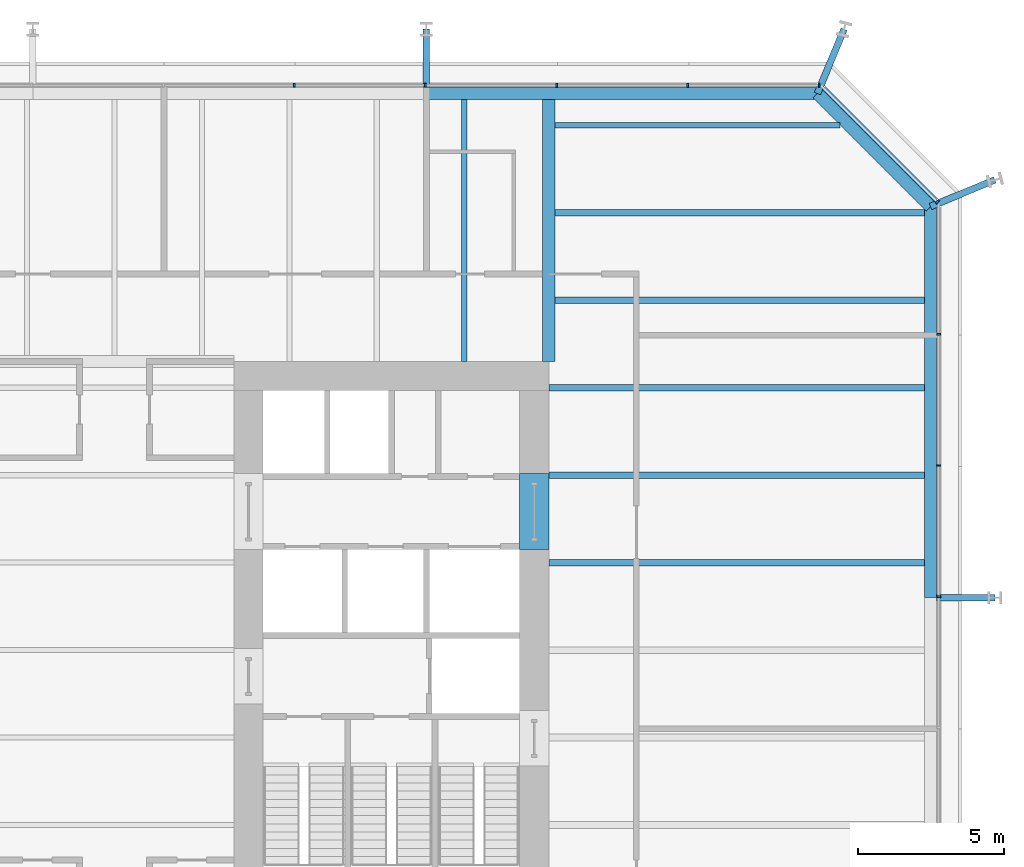
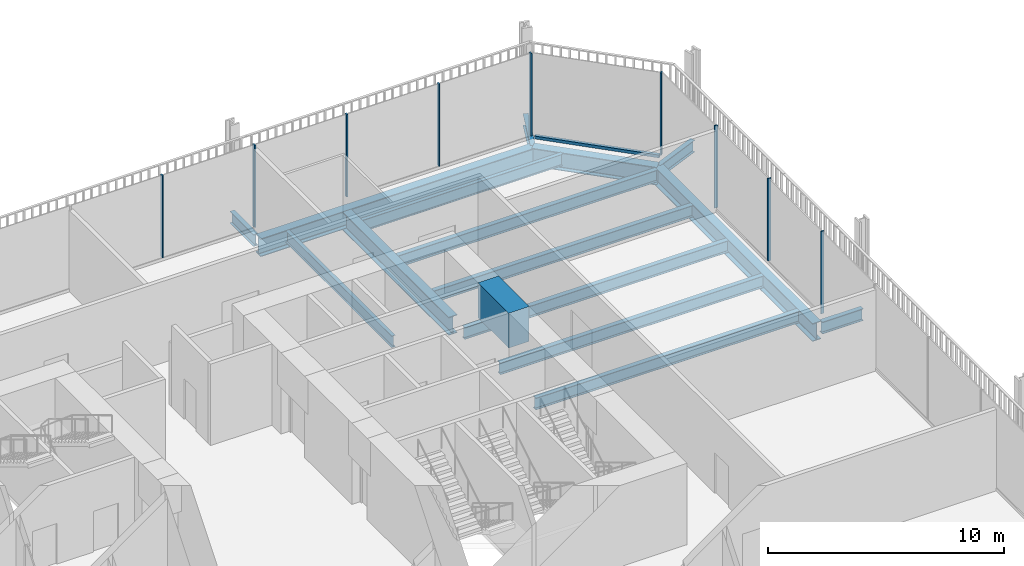
# One storey, part 14 of 20: 16 beams, 10 members, 3 elements without a shape of their own.
"""IFC4 building model written with IfcOpenShell, lengths in metres."""

from ifc_helpers import new_model, si_unit, direction, frame, origin, origin_2d, place, context, subcontext, project, spatial, rectangle, i_section, extrude, material, layer, layer_set, material_profile, profile_set, type_object, element, aggregate, save


model = new_model("IFC4")

# Units and contexts
model_context = context("Model", 3, precision=1e-05, world=origin(), true_north=direction((0.0, 1.0)))
body_context = subcontext(model_context, "Body", "Model", "MODEL_VIEW")
ifc_project = project(units=[si_unit("LENGTHUNIT", "METRE"), si_unit("AREAUNIT", "SQUARE_METRE"), si_unit("VOLUMEUNIT", "CUBIC_METRE"), si_unit("PLANEANGLEUNIT", "RADIAN"), si_unit("MASSUNIT", "GRAM", prefix="KILO")], contexts=[model_context])

# Site, building, storey
site_placement = place(None, origin())
site = spatial("IfcSite", under=ifc_project, at=site_placement, CompositionType="ELEMENT")
building_placement = place(site_placement, origin())
building = spatial("IfcBuilding", under=site, at=building_placement, Name="Millrace Tower", CompositionType="ELEMENT")
storey_placement = place(building_placement, frame((0.0, 0.0, 77.60009765625)))
storey = spatial("IfcBuildingStorey", under=building, at=storey_placement, Name="L17", CompositionType="ELEMENT", Elevation=77.60009765625)

# Curtain wall, members
ifc_material_1 = material(Name="Aluminium and glass", Category="aluminium")
ifc_layer = layer(ifc_material_1, 0.14990234375)
ifc_layer_set = layer_set([ifc_layer], Name="Aluminium and glass")
curtain_wall_type = type_object("IfcCurtainWallType", Name="CW-3 telecom floor curtain wall", PredefinedType="NOTDEFINED", material=ifc_layer_set)
placement = place(storey_placement, origin())
curtain_wall_1 = element("IfcCurtainWall", 1, at=placement, inside=storey, type_object=curtain_wall_type, Name="Curtain wall B-F04 L17", PredefinedType="NOTDEFINED")
ifc_material_2 = material(Name="Aluminium", Category="aluminium")
ifc_material_profile_1 = material_profile(ifc_material_2, rectangle(XDim=0.06494140625, YDim=0.14990234375, at=origin_2d()))
ifc_profile_set_1 = profile_set([ifc_material_profile_1], Name="Aluminium")
member_type_1 = type_object("IfcMemberType", Name="CW-3 telecom floor curtain wall mullion", PredefinedType="MULLION", material=ifc_profile_set_1)
member_1_placement = place(storey_placement, frame((28.27490234375, 1.83251953125, 0.14990234375), z_axis=(0.0, 0.0, 1.0), x_axis=(0.0, 1.0, 0.0)))
member_1 = element("IfcMember", 2, at=member_1_placement, type_object=member_type_1, Name="CW3 mullion B-F04.7", PredefinedType="MULLION", context=body_context, shape_type="SweptSolid", body=[
    extrude(rectangle(XDim=0.06494140625, YDim=0.14990234375, at=origin_2d()), origin(), (0.0, 0.0, 1.0), 4.25),
])
member_2_placement = place(storey_placement, frame((28.27490234375, 6.33251953125, 0.14990234375), z_axis=(0.0, 0.0, 1.0), x_axis=(0.0, 1.0, 0.0)))
member_2 = element("IfcMember", 3, at=member_2_placement, type_object=member_type_1, Name="CW3 mullion B-F04.8", PredefinedType="MULLION", context=body_context, shape_type="SweptSolid", body=[
    extrude(rectangle(XDim=0.06494140625, YDim=0.14990234375, at=origin_2d()), origin(), (0.0, 0.0, 1.0), 4.25),
])
member_3_placement = place(storey_placement, frame((28.27490234375, 10.83251953125, 0.14990234375), z_axis=(0.0, 0.0, 1.0), x_axis=(0.0, 1.0, 0.0)))
member_3 = element("IfcMember", 4, at=member_3_placement, type_object=member_type_1, Name="CW3 mullion B-F04.9", PredefinedType="MULLION", context=body_context, shape_type="SweptSolid", body=[
    extrude(rectangle(XDim=0.06494140625, YDim=0.14990234375, at=origin_2d()), origin(), (0.0, 0.0, 1.0), 4.25),
])
aggregate(curtain_wall_1, [member_1, member_2, member_3])

# Curtain wall, member
curtain_wall_2 = element("IfcCurtainWall", 5, at=placement, inside=storey, type_object=curtain_wall_type, Name="Curtain wall B-F05 L17", PredefinedType="NOTDEFINED")
member_4_placement = place(storey_placement, frame((28.22998046875, 15.3759765625, 0.14990234375), z_axis=(0.0, 0.0, 1.0), x_axis=(-0.707106781187, 0.707106781187, 0.0)))
member_4 = element("IfcMember", 6, at=member_4_placement, type_object=member_type_1, Name="CW3 mullion B-F05.1", PredefinedType="MULLION", context=body_context, shape_type="SweptSolid", body=[
    extrude(rectangle(XDim=0.06494140625, YDim=0.14990234375, at=origin_2d()), origin(), (0.0, 0.0, 1.0), 4.25),
])

# Curtain wall, members
curtain_wall_3 = element("IfcCurtainWall", 7, at=placement, inside=storey, type_object=curtain_wall_type, Name="Curtain wall B-F06 L17", PredefinedType="NOTDEFINED")
member_5_placement = place(storey_placement, frame((24.16748046875, 19.375, 0.14990234375), z_axis=(0.0, 0.0, 1.0), x_axis=(-1.0, 0.0, 0.0)))
member_5 = element("IfcMember", 8, at=member_5_placement, type_object=member_type_1, Name="CW3 mullion B-F06.1", PredefinedType="MULLION", context=body_context, shape_type="SweptSolid", body=[
    extrude(rectangle(XDim=0.06494140625, YDim=0.14990234375, at=origin_2d()), origin(), (0.0, 0.0, 1.0), 4.25),
])
member_6_placement = place(storey_placement, frame((19.66748046875, 19.375, 0.14990234375), z_axis=(0.0, 0.0, 1.0), x_axis=(-1.0, 0.0, 0.0)))
member_6 = element("IfcMember", 9, at=member_6_placement, type_object=member_type_1, Name="CW3 mullion B-F06.2", PredefinedType="MULLION", context=body_context, shape_type="SweptSolid", body=[
    extrude(rectangle(XDim=0.06494140625, YDim=0.14990234375, at=origin_2d()), origin(), (0.0, 0.0, 1.0), 4.25),
])
member_7_placement = place(storey_placement, frame((15.16748046875, 19.375, 0.14990234375), z_axis=(0.0, 0.0, 1.0), x_axis=(-1.0, 0.0, 0.0)))
member_7 = element("IfcMember", 10, at=member_7_placement, type_object=member_type_1, Name="CW3 mullion B-F06.3", PredefinedType="MULLION", context=body_context, shape_type="SweptSolid", body=[
    extrude(rectangle(XDim=0.06494140625, YDim=0.14990234375, at=origin_2d()), origin(), (0.0, 0.0, 1.0), 4.25),
])
member_8_placement = place(storey_placement, frame((10.66748046875, 19.375, 0.14990234375), z_axis=(0.0, 0.0, 1.0), x_axis=(-1.0, 0.0, 0.0)))
member_8 = element("IfcMember", 11, at=member_8_placement, type_object=member_type_1, Name="CW3 mullion B-F06.4", PredefinedType="MULLION", context=body_context, shape_type="SweptSolid", body=[
    extrude(rectangle(XDim=0.06494140625, YDim=0.14990234375, at=origin_2d()), origin(), (0.0, 0.0, 1.0), 4.25),
])
member_9_placement = place(storey_placement, frame((6.16748046875, 19.375, 0.14990234375), z_axis=(0.0, 0.0, 1.0), x_axis=(-1.0, 0.0, 0.0)))
member_9 = element("IfcMember", 12, at=member_9_placement, type_object=member_type_1, Name="CW3 mullion B-F06.5", PredefinedType="MULLION", context=body_context, shape_type="SweptSolid", body=[
    extrude(rectangle(XDim=0.06494140625, YDim=0.14990234375, at=origin_2d()), origin(), (0.0, 0.0, 1.0), 4.25),
])
aggregate(curtain_wall_3, [member_5, member_6, member_7, member_8, member_9])

# Member
ifc_material_3 = material(Name="Aluminium", Category="aluminium")
ifc_material_profile_2 = material_profile(ifc_material_3, rectangle(XDim=0.14990234375, YDim=0.14990234375, at=origin_2d()))
ifc_profile_set_2 = profile_set([ifc_material_profile_2], Name="Aluminium")
member_type_2 = type_object("IfcMemberType", Name="CW-3 telecom floor curtain wall transom", PredefinedType="USERDEFINED", material=ifc_profile_set_2)
member_10_placement = place(storey_placement, frame((28.182373046875, 15.423828125, 0.074951171875), z_axis=(-0.707129151258, 0.707084410407, 0.0), x_axis=(-0.707084410407, -0.707129151258, 0.0)))
member_10 = element("IfcMember", 13, at=member_10_placement, type_object=member_type_2, Name="CW3 transom B-F05.1", ObjectType="TRANSOM", PredefinedType="USERDEFINED", context=body_context, shape_type="SweptSolid", body=[
    extrude(rectangle(XDim=0.14990234375, YDim=0.14990234375, at=origin_2d()), origin(), (0.0, 0.0, 1.0), 5.456787109375),
])

aggregate(curtain_wall_2, [member_4, member_10])

# Beams
ifc_material_4 = material(Name="Concrete C80", Category="concrete")
ifc_material_profile_3 = material_profile(ifc_material_4, rectangle(XDim=1.0, YDim=1.800048828125, at=origin_2d()))
ifc_profile_set_3 = profile_set([ifc_material_profile_3], Name="Concrete C80")
beam_type_1 = type_object("IfcBeamType", Name="Coupling beam 1000 x 1800 Concrete C80, 2000 opening", PredefinedType="BEAM", material=ifc_profile_set_3)
beam_1_placement = place(storey_placement, frame((14.39990234375, 6.050048828125, 3.2998046875), z_axis=(0.0, -1.0, 0.0), x_axis=(1.0, 0.0, 0.0)))
element("IfcBeam", 14, at=beam_1_placement, inside=storey, type_object=beam_type_1, Name="Coupling beam E L17", PredefinedType="BEAM", context=body_context, shape_type="SweptSolid", body=[
    extrude(rectangle(XDim=1.0, YDim=1.800048828125, at=origin_2d()), origin(), (0.0, 0.0, 1.0), 2.60009765625),
])
ifc_material_5 = material(Name="Steel ASTM A992 Grade 50", Category="steel")
ifc_material_profile_4 = material_profile(ifc_material_5, i_section(OverallWidth=0.177978515625, OverallDepth=0.599365234375, WebThickness=0.010009765625, FlangeThickness=0.012939453125, FilletRadius=0.012939453125, at=origin_2d()))
ifc_profile_set_4 = profile_set([ifc_material_profile_4], Name="Steel ASTM A992 Grade 50")
beam_type_2 = type_object("IfcBeamType", Name="Floor beam W24x55", PredefinedType="JOIST", material=ifc_profile_set_4)
beam_2_placement = place(storey_placement, frame((12.0, 9.89990234375, -0.499755859375), z_axis=(0.0, 1.0, 0.0), x_axis=(-1.0, 0.0, 0.0)))
element("IfcBeam", 15, at=beam_2_placement, inside=storey, type_object=beam_type_2, Name="BM-B-L17-S1-S056", PredefinedType="JOIST", context=body_context, shape_type="SweptSolid", body=[
    extrude(i_section(OverallWidth=0.177978515625, OverallDepth=0.599365234375, WebThickness=0.010009765625, FlangeThickness=0.012939453125, FilletRadius=0.012939453125, at=origin_2d()), origin(), (0.0, 0.0, 1.0), 8.98095703125),
])
beam_3_placement = place(storey_placement, frame((15.11083984375, 18.0, -0.499755859375), z_axis=(1.0, 0.0, 0.0), x_axis=(0.0, 1.0, 0.0)))
element("IfcBeam", 16, at=beam_3_placement, inside=storey, type_object=beam_type_2, Name="BM-B-L17-S1-S039", PredefinedType="JOIST", context=body_context, shape_type="SweptSolid", body=[
    extrude(i_section(OverallWidth=0.177978515625, OverallDepth=0.599365234375, WebThickness=0.010009765625, FlangeThickness=0.012939453125, FilletRadius=0.012939453125, at=origin_2d()), origin(), (0.0, 0.0, 1.0), 9.7724609375),
])
ifc_material_6 = material(Name="Steel ASTM A992 Grade 50", Category="steel")
ifc_material_profile_5 = material_profile(ifc_material_6, i_section(OverallWidth=0.228271484375, OverallDepth=0.607177734375, WebThickness=0.01123046875, FlangeThickness=0.017333984375, FilletRadius=0.0126953125, at=origin_2d()))
ifc_profile_set_5 = profile_set([ifc_material_profile_5], Name="Steel ASTM A992 Grade 50")
beam_type_3 = type_object("IfcBeamType", Name="Floor beam W24x76", PredefinedType="JOIST", material=ifc_profile_set_5)
for number, where, z_axis, x_axis, name in (
    (17, (14.89990234375, 3.0, -0.503662109375), (1.0, 0.0, 0.0), (0.0, 1.0, 0.0), "BM-B-L17-S1-S027"),
    (18, (14.89990234375, 6.0, -0.503662109375), (1.0, 0.0, 0.0), (0.0, 1.0, 0.0), "BM-B-L17-S1-S030"),
    (19, (14.89990234375, 9.0, -0.503662109375), (1.0, 0.0, 0.0), (0.0, 1.0, 0.0), "BM-B-L17-S1-S033"),
):
    element("IfcBeam", number, at=place(storey_placement, frame(where, z_axis=z_axis, x_axis=x_axis)), inside=storey, type_object=beam_type_3, Name=name, PredefinedType="JOIST", context=body_context, shape_type="SweptSolid", body=[
        extrude(i_section(OverallWidth=0.228271484375, OverallDepth=0.607177734375, WebThickness=0.01123046875, FlangeThickness=0.017333984375, FilletRadius=0.0126953125, at=origin_2d()), origin(), (0.0, 0.0, 1.0), 12.881103515625),
    ])
for number, where, z_axis, x_axis, name in (
    (20, (15.11083984375, 12.0, -0.503662109375), (1.0, 0.0, 0.0), (0.0, 1.0, 0.0), "BM-B-L17-S1-S035"),
    (21, (15.11083984375, 15.0, -0.503662109375), (1.0, 0.0, 0.0), (0.0, 1.0, 0.0), "BM-B-L17-S1-S037"),
):
    element("IfcBeam", number, at=place(storey_placement, frame(where, z_axis=z_axis, x_axis=x_axis)), inside=storey, type_object=beam_type_3, Name=name, PredefinedType="JOIST", context=body_context, shape_type="SweptSolid", body=[
        extrude(i_section(OverallWidth=0.228271484375, OverallDepth=0.607177734375, WebThickness=0.01123046875, FlangeThickness=0.017333984375, FilletRadius=0.0126953125, at=origin_2d()), origin(), (0.0, 0.0, 1.0), 12.670166015625),
    ])
ifc_material_7 = material(Name="Steel ASTM A992 Grade 50", Category="steel")
ifc_material_profile_6 = material_profile(ifc_material_7, i_section(OverallWidth=0.421630859375, OverallDepth=0.937255859375, WebThickness=0.021240234375, FlangeThickness=0.03662109375, FilletRadius=0.024169921875, at=origin_2d()))
ifc_profile_set_6 = profile_set([ifc_material_profile_6], Name="Steel ASTM A992 Grade 50")
beam_type_4 = type_object("IfcBeamType", Name="Girder short span W36x262", PredefinedType="BEAM", material=ifc_profile_set_6)
beam_4_placement = place(storey_placement, frame((14.89990234375, 9.89990234375, -0.668701171875), z_axis=(0.0, 1.0, 0.0), x_axis=(-1.0, 0.0, 0.0)))
element("IfcBeam", 22, at=beam_4_placement, inside=storey, type_object=beam_type_4, Name="BM-B-L17-S1-G060", PredefinedType="BEAM", context=body_context, shape_type="SweptSolid", body=[
    extrude(i_section(OverallWidth=0.421630859375, OverallDepth=0.937255859375, WebThickness=0.021240234375, FlangeThickness=0.03662109375, FilletRadius=0.024169921875, at=origin_2d()), origin(), (0.0, 0.0, 1.0), 8.98095703125),
])
ifc_material_8 = material(Name="Steel ASTM A992 Grade 50", Category="steel")
ifc_material_profile_7 = material_profile(ifc_material_8, i_section(OverallWidth=0.23046875, OverallDepth=0.6171875, WebThickness=0.01318359375, FlangeThickness=0.022216796875, FilletRadius=0.012939453125, at=origin_2d()))
ifc_profile_set_7 = profile_set([ifc_material_profile_7], Name="Steel ASTM A992 Grade 50")
beam_type_5 = type_object("IfcBeamType", Name="Link beam W24x94", PredefinedType="BEAM", material=ifc_profile_set_7)
beam_5_placement = place(storey_placement, frame((10.699951171875, 19.300048828125, -0.5087890625), z_axis=(0.0, 1.0, 0.0), x_axis=(-1.0, 0.0, 0.0)))
element("IfcBeam", 23, at=beam_5_placement, inside=storey, type_object=beam_type_5, Name="LNK-B-L17-S1-07", PredefinedType="BEAM", context=body_context, shape_type="SweptSolid", body=[
    extrude(i_section(OverallWidth=0.23046875, OverallDepth=0.6171875, WebThickness=0.01318359375, FlangeThickness=0.022216796875, FilletRadius=0.012939453125, at=origin_2d()), origin(), (0.0, 0.0, 1.0), 2.0),
])
for number, where, z_axis, x_axis, name in (
    (24, (24.11328125, 19.09033203125, -0.5087890625), (0.382592209583, 0.923917312949, 0.0), (-0.923917312949, 0.382592209583, 0.0), "LNK-B-L17-S1-08"),
    (25, (27.990478515625, 15.213134765625, -0.5087890625), (0.92386627665, 0.382715433277, 0.0), (-0.382715433277, 0.92386627665, 0.0), "LNK-B-L17-S1-09"),
):
    element("IfcBeam", number, at=place(storey_placement, frame(where, z_axis=z_axis, x_axis=x_axis)), inside=storey, type_object=beam_type_5, Name=name, PredefinedType="BEAM", context=body_context, shape_type="SweptSolid", body=[
        extrude(i_section(OverallWidth=0.23046875, OverallDepth=0.6171875, WebThickness=0.01318359375, FlangeThickness=0.022216796875, FilletRadius=0.012939453125, at=origin_2d()), origin(), (0.0, 0.0, 1.0), 2.3916015625),
    ])
beam_6_placement = place(storey_placement, frame((28.199951171875, 1.800048828125, -0.5087890625), z_axis=(1.0, 0.0, 0.0), x_axis=(0.0, 1.0, 0.0)))
element("IfcBeam", 26, at=beam_6_placement, inside=storey, type_object=beam_type_5, Name="LNK-B-L17-S1-10", PredefinedType="BEAM", context=body_context, shape_type="SweptSolid", body=[
    extrude(i_section(OverallWidth=0.23046875, OverallDepth=0.6171875, WebThickness=0.01318359375, FlangeThickness=0.022216796875, FilletRadius=0.012939453125, at=origin_2d()), origin(), (0.0, 0.0, 1.0), 2.0),
])
ifc_material_9 = material(Name="Steel ASTM A992 Grade 50", Category="steel")
ifc_material_profile_8 = material_profile(ifc_material_9, i_section(OverallWidth=0.419189453125, OverallDepth=0.927001953125, WebThickness=0.019287109375, FlangeThickness=0.031982421875, FilletRadius=0.024169921875, at=origin_2d()))
ifc_profile_set_8 = profile_set([ifc_material_profile_8], Name="Steel ASTM A992 Grade 50")
beam_type_6 = type_object("IfcBeamType", Name="Ring beam medium span W36x231", PredefinedType="SPANDREL", material=ifc_profile_set_8)
beam_7_placement = place(storey_placement, frame((10.699951171875, 19.09033203125, -0.66357421875), z_axis=(1.0, 0.0, 0.0), x_axis=(0.0, 1.0, 0.0)))
element("IfcBeam", 27, at=beam_7_placement, inside=storey, type_object=beam_type_6, Name="RNG-B-L17-S1-07", PredefinedType="SPANDREL", context=body_context, shape_type="SweptSolid", body=[
    extrude(i_section(OverallWidth=0.419189453125, OverallDepth=0.927001953125, WebThickness=0.019287109375, FlangeThickness=0.031982421875, FilletRadius=0.024169921875, at=origin_2d()), origin(), (0.0, 0.0, 1.0), 13.413330078125),
])
beam_8_placement = place(storey_placement, frame((27.990478515625, 15.213134765625, -0.66357421875), z_axis=(0.0, -1.0, 0.0), x_axis=(1.0, 0.0, 0.0)))
element("IfcBeam", 28, at=beam_8_placement, inside=storey, type_object=beam_type_6, Name="RNG-B-L17-S1-09", PredefinedType="SPANDREL", context=body_context, shape_type="SweptSolid", body=[
    extrude(i_section(OverallWidth=0.419189453125, OverallDepth=0.927001953125, WebThickness=0.019287109375, FlangeThickness=0.031982421875, FilletRadius=0.024169921875, at=origin_2d()), origin(), (0.0, 0.0, 1.0), 13.4130859375),
])
ifc_material_10 = material(Name="Steel ASTM A992 Grade 50", Category="steel")
ifc_material_profile_9 = material_profile(ifc_material_10, i_section(OverallWidth=0.419189453125, OverallDepth=0.927001953125, WebThickness=0.019287109375, FlangeThickness=0.031982421875, FilletRadius=0.024169921875, at=origin_2d()))
ifc_profile_set_9 = profile_set([ifc_material_profile_9], Name="Steel ASTM A992 Grade 50")
beam_type_7 = type_object("IfcBeamType", Name="Ring beam short span W36x231", PredefinedType="SPANDREL", material=ifc_profile_set_9)
beam_9_placement = place(storey_placement, frame((24.11328125, 19.09033203125, -0.66357421875), z_axis=(0.707106781187, -0.707106781187, 0.0), x_axis=(0.707106781187, 0.707106781187, 0.0)))
element("IfcBeam", 29, at=beam_9_placement, inside=storey, type_object=beam_type_7, Name="RNG-B-L17-S1-08", PredefinedType="SPANDREL", context=body_context, shape_type="SweptSolid", body=[
    extrude(i_section(OverallWidth=0.419189453125, OverallDepth=0.927001953125, WebThickness=0.019287109375, FlangeThickness=0.031982421875, FilletRadius=0.024169921875, at=origin_2d()), origin(), (0.0, 0.0, 1.0), 5.483154296875),
])

save(model, "model.ifc")
